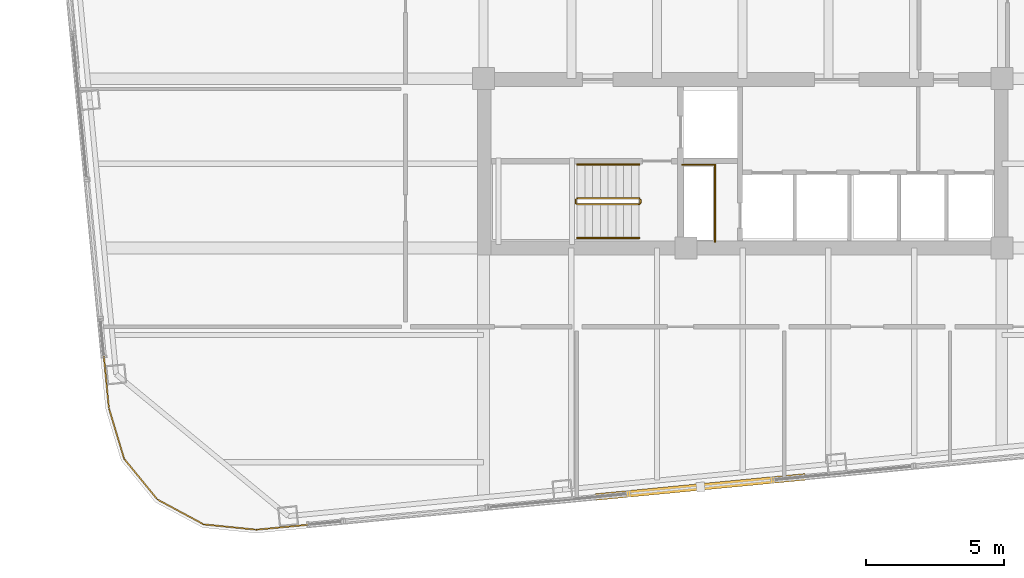
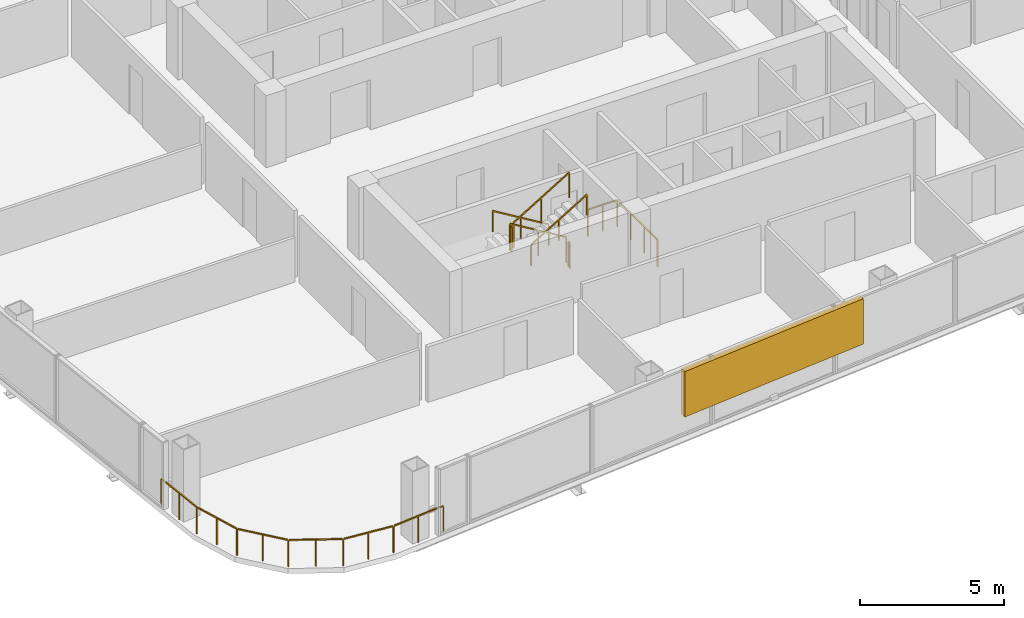
# One storey, part 27 of 29: 8 railings, 1 shading device.
"""IFC4 building model written with IfcOpenShell, lengths in metres."""

from ifc_helpers import new_model, si_unit, direction, frame, origin, origin_2d, place, context, subcontext, project, spatial, rectangle, extrude, material, type_object, element, save


model = new_model("IFC4")

# Units and contexts
model_context = context("Model", 3, precision=1e-05, world=origin(), true_north=direction((0.0, 1.0)))
body_context = subcontext(model_context, "Body", "Model", "MODEL_VIEW")
ifc_project = project(units=[si_unit("LENGTHUNIT", "METRE"), si_unit("AREAUNIT", "SQUARE_METRE"), si_unit("VOLUMEUNIT", "CUBIC_METRE"), si_unit("PLANEANGLEUNIT", "RADIAN"), si_unit("MASSUNIT", "GRAM", prefix="KILO")], contexts=[model_context])

# Site, building, storey
site_placement = place(None, origin())
site = spatial("IfcSite", under=ifc_project, at=site_placement, CompositionType="ELEMENT")
building_placement = place(site_placement, origin())
building = spatial("IfcBuilding", under=site, at=building_placement, Name="Qhalaya Broadcast Tower", CompositionType="ELEMENT")
storey_placement = place(building_placement, frame((0.0, 0.0, 177.5)))
storey = spatial("IfcBuildingStorey", under=building, at=storey_placement, Name="L52", CompositionType="ELEMENT", Elevation=177.5)

# Railings
ifc_material_1 = material(Name="Powder-Coated Galvanised Steel", Category="steel")
railing_type_1 = type_object("IfcRailingType", Name="Stair Wall Handrail 900", PredefinedType="HANDRAIL", material=ifc_material_1)
railing_1_placement = place(storey_placement, frame((-3.75, -5.72998046875, 0.16943359375)))
element("IfcRailing", 1, at=railing_1_placement, inside=storey, type_object=railing_type_1, Name="L52 ST-2 Stair Handrail 1", PredefinedType="HANDRAIL", context=body_context, shape_type="SweptSolid", body=[
    extrude(rectangle(XDim=0.048095703125, YDim=0.048095703125, at=origin_2d()), frame((0.0, 0.0, 0.8759765625), z_axis=(-0.855553338991, 0.0, 0.51771467445), x_axis=(0.0, -1.0, 0.0)), (0.0, 0.0, 1.0), 2.6181640625),
    extrude(rectangle(XDim=0.0419921875, YDim=0.0419921875, at=origin_2d()), origin(), (0.0, 0.0, 1.0), 0.849853515625),
    extrude(rectangle(XDim=0.0419921875, YDim=0.0419921875, at=origin_2d()), frame((-1.1201171875, 0.0, 0.677734375)), (0.0, 0.0, 1.0), 0.849853515625),
    extrude(rectangle(XDim=0.0419921875, YDim=0.0419921875, at=origin_2d()), frame((-2.239990234375, 0.0, 1.35546875)), (0.0, 0.0, 1.0), 0.849853515625),
])
railing_2_placement = place(storey_placement, frame((-5.989990234375, -8.389892578125, 1.6943359375)))
element("IfcRailing", 2, at=railing_2_placement, inside=storey, type_object=railing_type_1, Name="L52 ST-2 Stair Handrail 2", PredefinedType="HANDRAIL", context=body_context, shape_type="SweptSolid", body=[
    extrude(rectangle(XDim=0.048095703125, YDim=0.048095703125, at=origin_2d()), frame((0.0, 0.0, 0.8759765625), z_axis=(0.855512035549, 0.0, 0.517782924622), x_axis=(0.0, 1.0, 0.0)), (0.0, 0.0, 1.0), 2.618408203125),
    extrude(rectangle(XDim=0.0419921875, YDim=0.0419921875, at=origin_2d()), origin(), (0.0, 0.0, 1.0), 0.849853515625),
    extrude(rectangle(XDim=0.0419921875, YDim=0.0419921875, at=origin_2d()), frame((1.1201171875, 0.0, 0.677734375)), (0.0, 0.0, 1.0), 0.849853515625),
    extrude(rectangle(XDim=0.0419921875, YDim=0.0419921875, at=origin_2d()), frame((2.239990234375, 0.0, 1.355712890625)), (0.0, 0.0, 1.0), 0.849853515625),
])
railing_type_2 = type_object("IfcRailingType", Name="Stair Well & Landing Guardrail 1100", PredefinedType="GUARDRAIL", material=ifc_material_1)
railing_3_placement = place(storey_placement, frame((-1.0, -8.52001953125, 0.0)))
element("IfcRailing", 3, at=railing_3_placement, inside=storey, type_object=railing_type_2, Name="L52 Service Riser Opening Safety Guard SRSR", PredefinedType="GUARDRAIL", context=body_context, shape_type="SweptSolid", body=[
    extrude(rectangle(XDim=0.048095703125, YDim=0.048095703125, at=origin_2d()), frame((0.0, 0.0, 1.1259765625), z_axis=(0.0, 1.0, 0.0), x_axis=(-1.0, 0.0, 0.0)), (0.0, 0.0, 1.0), 2.751220703125),
    extrude(rectangle(XDim=0.048095703125, YDim=0.048095703125, at=origin_2d()), frame((-0.02880859375, 2.780029296875, 1.1259765625), z_axis=(-1.0, 0.0, 0.0), x_axis=(0.0, -1.0, 0.0)), (0.0, 0.0, 1.0), 1.151123046875),
    extrude(rectangle(XDim=0.0419921875, YDim=0.0419921875, at=origin_2d()), origin(), (0.0, 0.0, 1.0), 1.099853515625),
    extrude(rectangle(XDim=0.0419921875, YDim=0.0419921875, at=origin_2d()), frame((0.0, 0.9267578125, 0.0)), (0.0, 0.0, 1.0), 1.099853515625),
    extrude(rectangle(XDim=0.0419921875, YDim=0.0419921875, at=origin_2d()), frame((0.0, 1.853271484375, 0.0)), (0.0, 0.0, 1.0), 1.099853515625),
    extrude(rectangle(XDim=0.0419921875, YDim=0.0419921875, at=origin_2d()), frame((0.0, 2.780029296875, 0.0)), (0.0, 0.0, 1.0), 1.099853515625),
    extrude(rectangle(XDim=0.0419921875, YDim=0.0419921875, at=origin_2d()), frame((-0.58984375, 2.780029296875, 0.0)), (0.0, 0.0, 1.0), 1.099853515625),
    extrude(rectangle(XDim=0.0419921875, YDim=0.0419921875, at=origin_2d()), frame((-1.179931640625, 2.780029296875, 0.0)), (0.0, 0.0, 1.0), 1.099853515625),
])
railing_4_placement = place(storey_placement, frame((-3.75, -6.949951171875, 0.16943359375)))
element("IfcRailing", 4, at=railing_4_placement, inside=storey, type_object=railing_type_2, Name="L52 ST-2 Stair Guard 1", PredefinedType="GUARDRAIL", context=body_context, shape_type="SweptSolid", body=[
    extrude(rectangle(XDim=0.048095703125, YDim=0.048095703125, at=origin_2d()), frame((0.0, 0.0, 1.076171875), z_axis=(-0.855553338991, 0.0, 0.51771467445), x_axis=(0.0, -1.0, 0.0)), (0.0, 0.0, 1.0), 2.6181640625),
    extrude(rectangle(XDim=0.0419921875, YDim=0.0419921875, at=origin_2d()), origin(), (0.0, 0.0, 1.0), 1.050048828125),
    extrude(rectangle(XDim=0.0419921875, YDim=0.0419921875, at=origin_2d()), frame((-1.1201171875, 0.0, 0.677734375)), (0.0, 0.0, 1.0), 1.050048828125),
    extrude(rectangle(XDim=0.0419921875, YDim=0.0419921875, at=origin_2d()), frame((-2.239990234375, 0.0, 1.35546875)), (0.0, 0.0, 1.0), 1.050048828125),
])
railing_5_placement = place(storey_placement, frame((-6.0400390625, -7.0, 1.52490234375)))
element("IfcRailing", 5, at=railing_5_placement, inside=storey, type_object=railing_type_2, Name="L52 ST-2 Stair Guard 2", PredefinedType="GUARDRAIL", context=body_context, shape_type="SweptSolid", body=[
    extrude(rectangle(XDim=0.048095703125, YDim=0.048095703125, at=origin_2d()), frame((0.0, 0.0, 1.076171875), z_axis=(0.0, -1.0, 0.0), x_axis=(1.0, 0.0, 0.0)), (0.0, 0.0, 1.0), 0.1201171875),
    extrude(rectangle(XDim=0.0419921875, YDim=0.0419921875, at=origin_2d()), origin(), (0.0, 0.0, 1.0), 1.050048828125),
    extrude(rectangle(XDim=0.0419921875, YDim=0.0419921875, at=origin_2d()), frame((0.0, -0.1201171875, 0.0)), (0.0, 0.0, 1.0), 1.050048828125),
])
railing_6_placement = place(storey_placement, frame((-5.989990234375, -7.169921875, 1.6943359375)))
element("IfcRailing", 6, at=railing_6_placement, inside=storey, type_object=railing_type_2, Name="L52 ST-2 Stair Guard 3", PredefinedType="GUARDRAIL", context=body_context, shape_type="SweptSolid", body=[
    extrude(rectangle(XDim=0.048095703125, YDim=0.048095703125, at=origin_2d()), frame((0.0, 0.0, 1.076171875), z_axis=(0.855512035549, 0.0, 0.517782924622), x_axis=(0.0, 1.0, 0.0)), (0.0, 0.0, 1.0), 2.618408203125),
    extrude(rectangle(XDim=0.0419921875, YDim=0.0419921875, at=origin_2d()), origin(), (0.0, 0.0, 1.0), 1.050048828125),
    extrude(rectangle(XDim=0.0419921875, YDim=0.0419921875, at=origin_2d()), frame((1.1201171875, 0.0, 0.677734375)), (0.0, 0.0, 1.0), 1.050048828125),
    extrude(rectangle(XDim=0.0419921875, YDim=0.0419921875, at=origin_2d()), frame((2.239990234375, 0.0, 1.355712890625)), (0.0, 0.0, 1.0), 1.050048828125),
])
railing_7_placement = place(storey_placement, frame((-3.699951171875, -7.0, 0.0)))
element("IfcRailing", 7, at=railing_7_placement, inside=storey, type_object=railing_type_2, Name="L52 ST-2 Stair Guard 4", PredefinedType="GUARDRAIL", context=body_context, shape_type="SweptSolid", body=[
    extrude(rectangle(XDim=0.048095703125, YDim=0.048095703125, at=origin_2d()), frame((0.0, 0.0, 1.076171875), z_axis=(0.0, -1.0, 0.0), x_axis=(1.0, 0.0, 0.0)), (0.0, 0.0, 1.0), 0.1201171875),
    extrude(rectangle(XDim=0.0419921875, YDim=0.0419921875, at=origin_2d()), origin(), (0.0, 0.0, 1.0), 1.050048828125),
    extrude(rectangle(XDim=0.0419921875, YDim=0.0419921875, at=origin_2d()), frame((0.0, -0.1201171875, 0.0)), (0.0, 0.0, 1.0), 1.050048828125),
])
railing_type_3 = type_object("IfcRailingType", Name="Terrace, Sky-Pool & Lookout Glass Balustrade 1150", PredefinedType="BALUSTRADE", material=ifc_material_1)
railing_8_placement = place(storey_placement, frame((-15.479736328125, -18.73681640625, 0.0)))
element("IfcRailing", 8, at=railing_8_placement, inside=storey, type_object=railing_type_3, Name="L52 Rounded Corner Perimeter Guard 02", PredefinedType="BALUSTRADE", context=body_context, shape_type="SweptSolid", body=[
    extrude(rectangle(XDim=0.048095703125, YDim=0.048095703125, at=origin_2d()), frame((0.0, 0.0, 1.1259765625), z_axis=(-0.995391273094, -0.095896889673, 0.0), x_axis=(0.095896889673, -0.995391273094, 0.0)), (0.0, 0.0, 1.0), 2.08935546875),
    extrude(rectangle(XDim=0.048095703125, YDim=0.048095703125, at=origin_2d()), frame((-2.13720703125, -0.2001953125, 1.1259765625), z_axis=(-0.994968808814, 0.100185175984, 0.0), x_axis=(-0.100185175984, -0.994968808814, 0.0)), (0.0, 0.0, 1.0), 1.857666015625),
    extrude(rectangle(XDim=0.048095703125, YDim=0.048095703125, at=origin_2d()), frame((-4.03955078125, 0.00244140625, 1.1259765625), z_axis=(-0.880932037714, 0.473242797018, 0.0), x_axis=(-0.473242797018, -0.880932037714, 0.0)), (0.0, 0.0, 1.0), 1.845458984375),
    extrude(rectangle(XDim=0.048095703125, YDim=0.048095703125, at=origin_2d()), frame((-5.708984375, 0.911865234375, 1.1259765625), z_axis=(-0.632671796541, 0.774420039683, 0.0), x_axis=(-0.774420039683, -0.632671796541, 0.0)), (0.0, 0.0, 1.0), 1.845458984375),
    extrude(rectangle(XDim=0.048095703125, YDim=0.048095703125, at=origin_2d()), frame((-6.903076171875, 2.390869140625, 1.1259765625), z_axis=(-0.288213171456, 0.95756627332, 0.0), x_axis=(-0.95756627332, -0.288213171456, 0.0)), (0.0, 0.0, 1.0), 1.857421875),
    extrude(rectangle(XDim=0.048095703125, YDim=0.048095703125, at=origin_2d()), frame((-7.449462890625, 4.22607421875, 1.1259765625), z_axis=(-0.095782687057, 0.995402268864, 0.0), x_axis=(-0.995402268864, -0.095782687057, 0.0)), (0.0, 0.0, 1.0), 2.08935546875),
    extrude(rectangle(XDim=0.0419921875, YDim=0.0419921875, at=origin_2d()), origin(), (0.0, 0.0, 1.0), 1.099853515625),
    extrude(rectangle(XDim=0.0419921875, YDim=0.0419921875, at=origin_2d()), frame((-1.05419921875, -0.1015625, 0.0)), (0.0, 0.0, 1.0), 1.099853515625),
    extrude(rectangle(XDim=0.0419921875, YDim=0.0419921875, at=origin_2d()), frame((-2.1083984375, -0.203125, 0.0)), (0.0, 0.0, 1.0), 1.099853515625),
    extrude(rectangle(XDim=0.0419921875, YDim=0.0419921875, at=origin_2d()), frame((-3.061279296875, -0.107177734375, 0.0)), (0.0, 0.0, 1.0), 1.099853515625),
    extrude(rectangle(XDim=0.0419921875, YDim=0.0419921875, at=origin_2d()), frame((-4.01416015625, -0.01123046875, 0.0)), (0.0, 0.0, 1.0), 1.099853515625),
    extrude(rectangle(XDim=0.0419921875, YDim=0.0419921875, at=origin_2d()), frame((-4.8525390625, 0.43896484375, 0.0)), (0.0, 0.0, 1.0), 1.099853515625),
    extrude(rectangle(XDim=0.0419921875, YDim=0.0419921875, at=origin_2d()), frame((-5.690673828125, 0.889404296875, 0.0)), (0.0, 0.0, 1.0), 1.099853515625),
    extrude(rectangle(XDim=0.0419921875, YDim=0.0419921875, at=origin_2d()), frame((-6.292724609375, 1.62646484375, 0.0)), (0.0, 0.0, 1.0), 1.099853515625),
    extrude(rectangle(XDim=0.0419921875, YDim=0.0419921875, at=origin_2d()), frame((-6.894775390625, 2.36328125, 0.0)), (0.0, 0.0, 1.0), 1.099853515625),
    extrude(rectangle(XDim=0.0419921875, YDim=0.0419921875, at=origin_2d()), frame((-7.1708984375, 3.2802734375, 0.0)), (0.0, 0.0, 1.0), 1.099853515625),
    extrude(rectangle(XDim=0.0419921875, YDim=0.0419921875, at=origin_2d()), frame((-7.44677734375, 4.197265625, 0.0)), (0.0, 0.0, 1.0), 1.099853515625),
    extrude(rectangle(XDim=0.0419921875, YDim=0.0419921875, at=origin_2d()), frame((-7.54833984375, 5.25146484375, 0.0)), (0.0, 0.0, 1.0), 1.099853515625),
    extrude(rectangle(XDim=0.0419921875, YDim=0.0419921875, at=origin_2d()), frame((-7.649658203125, 6.3056640625, 0.0)), (0.0, 0.0, 1.0), 1.099853515625),
])

# Shading device
ifc_material_2 = material(Name="Fired Architectural Terracotta", Category="masonry")
shading_device_type = type_object("IfcShadingDeviceType", Name="Terracotta Baguette Solar Screen Assembly TBS-01", PredefinedType="USERDEFINED", material=ifc_material_2)
shading_device_placement = place(storey_placement, frame((-1.5244140625, -17.393310546875, 0.79248046875), z_axis=(0.0, 0.0, 1.0), x_axis=(0.995396198367, 0.09584575252, 0.0)))
element("IfcShadingDevice", 9, at=shading_device_placement, inside=storey, type_object=shading_device_type, Name="L52 Fired Terracotta Baguette Screen S", ObjectType="BAGUETTE", PredefinedType="USERDEFINED", context=body_context, shape_type="SweptSolid", body=[
    extrude(rectangle(XDim=7.60009765625, YDim=0.239990234375, at=origin_2d()), origin(), (0.0, 0.0, 1.0), 1.924072265625),
])

save(model, "model.ifc")
